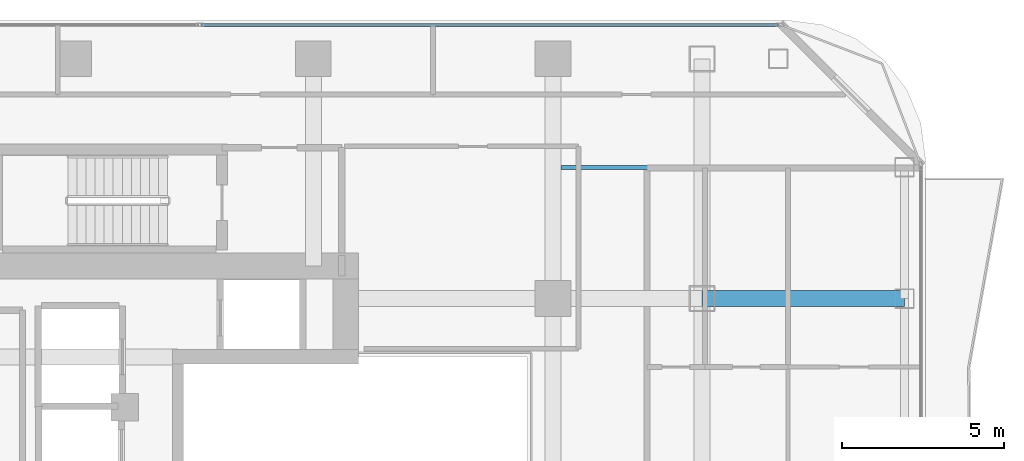
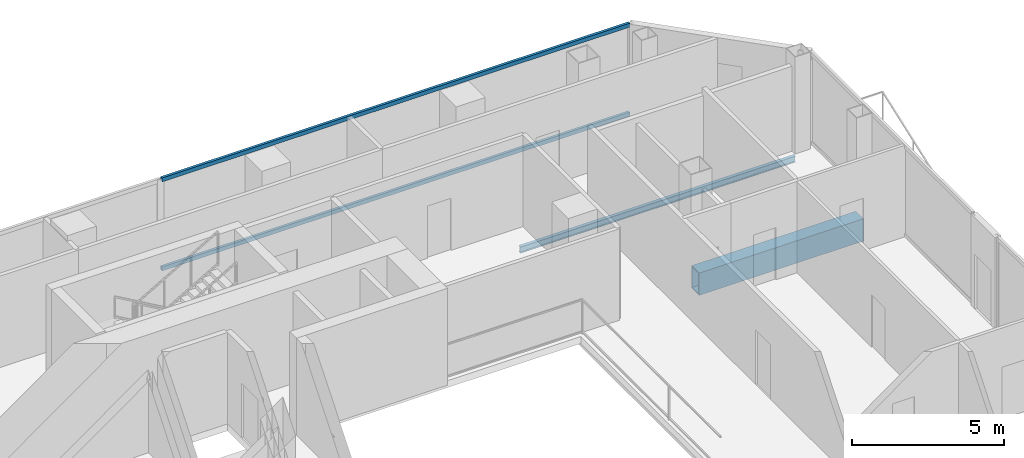
# One storey, part 17 of 26: 2 beams, 2 members, 1 element without a shape of its own.
"""IFC4 building model written with IfcOpenShell, lengths in metres."""

from ifc_helpers import new_model, si_unit, direction, frame, origin, origin_2d, place, context, subcontext, project, spatial, hollow_rectangle, i_section, extrude, material, layer, layer_set, material_profile, profile_set, type_object, element, aggregate, save


model = new_model("IFC4")

# Units and contexts
model_context = context("Model", 3, precision=1e-05, world=origin(), true_north=direction((0.0, 1.0)))
body_context = subcontext(model_context, "Body", "Model", "MODEL_VIEW")
ifc_project = project(units=[si_unit("LENGTHUNIT", "METRE"), si_unit("AREAUNIT", "SQUARE_METRE"), si_unit("VOLUMEUNIT", "CUBIC_METRE"), si_unit("PLANEANGLEUNIT", "RADIAN"), si_unit("MASSUNIT", "GRAM", prefix="KILO")], contexts=[model_context])

# Site, building, storey
site_placement = place(None, origin())
site = spatial("IfcSite", under=ifc_project, at=site_placement, CompositionType="ELEMENT")
building_placement = place(site_placement, origin())
building = spatial("IfcBuilding", under=site, at=building_placement, Name="Khorvyn Point Tower", CompositionType="ELEMENT")
storey_placement = place(building_placement, frame((0.0, 0.0, 219.60009765625)))
storey = spatial("IfcBuildingStorey", under=building, at=storey_placement, Name="L54", CompositionType="ELEMENT", Elevation=219.60009765625)

# Curtain wall, members
ifc_material_1 = material(Name="Anodised aluminium 6063-T6 and laminated Low-E glass", Category="aluminium")
ifc_layer = layer(ifc_material_1, 0.18994140625)
ifc_layer_set = layer_set([ifc_layer], Name="Stick-Built Acoustic Curtain Wall CW-SYS-03")
curtain_wall_type = type_object("IfcCurtainWallType", Name="Stick-Built Acoustic Curtain Wall CW-SYS-03", PredefinedType="NOTDEFINED", material=ifc_layer_set)
curtain_wall_placement = place(storey_placement, origin())
curtain_wall = element("IfcCurtainWall", 1, at=curtain_wall_placement, inside=storey, type_object=curtain_wall_type, Name="Curtain Wall", PredefinedType="NOTDEFINED")
ifc_material_2 = material(Name="Anodised aluminium 6063-T6", Category="aluminium")
ifc_material_profile_1 = material_profile(ifc_material_2, hollow_rectangle(XDim=0.10009765625, YDim=0.159912109375, WallThickness=0.00439453125, at=origin_2d()))
ifc_profile_set_1 = profile_set([ifc_material_profile_1], Name="Anodised aluminium 6063-T6 ALU-TRN-100x160")
member_type = type_object("IfcMemberType", Name="Anodised Aluminium 6063-T6 Transom ALU-TRN-100x160", PredefinedType="USERDEFINED", material=ifc_profile_set_1)
member_1_placement = place(storey_placement, frame((3.949951171875, 15.85009765625, 0.0498046875), z_axis=(1.0, 0.0, 0.0), x_axis=(0.0, 1.0, 0.0)))
member_1 = element("IfcMember", 2, at=member_1_placement, type_object=member_type, Name="Transom", ObjectType="TRANSOM", PredefinedType="USERDEFINED", context=body_context, shape_type="SweptSolid", body=[
    extrude(hollow_rectangle(XDim=0.10009765625, YDim=0.159912109375, WallThickness=0.00439453125, at=origin_2d()), origin(), (0.0, 0.0, 1.0), 17.800048828125),
])
member_2_placement = place(storey_placement, frame((3.949951171875, 15.85009765625, 3.6298828125), z_axis=(1.0, 0.0, 0.0), x_axis=(0.0, 1.0, 0.0)))
member_2 = element("IfcMember", 3, at=member_2_placement, type_object=member_type, Name="Transom", ObjectType="TRANSOM", PredefinedType="USERDEFINED", context=body_context, shape_type="SweptSolid", body=[
    extrude(hollow_rectangle(XDim=0.10009765625, YDim=0.159912109375, WallThickness=0.00439453125, at=origin_2d()), origin(), (0.0, 0.0, 1.0), 17.800048828125),
])
aggregate(curtain_wall, [member_1, member_2])

# Beams
ifc_material_3 = material(Name="Steel S355", Category="steel")
ifc_material_profile_2 = material_profile(ifc_material_3, i_section(OverallWidth=0.125, OverallDepth=0.25, WebThickness=0.006103515625, FlangeThickness=0.009033203125, at=origin_2d()))
ifc_profile_set_2 = profile_set([ifc_material_profile_2], Name="Steel S355 H250x125x6x9")
beam_type_1 = type_object("IfcBeamType", Name="Steel S355 Joist H250x125x6x9", PredefinedType="JOIST", material=ifc_profile_set_2)
beam_1_placement = place(storey_placement, frame((15.050048828125, 11.449951171875, -0.405029296875), z_axis=(1.0, 0.0, 0.0), x_axis=(0.0, 1.0, 0.0)))
element("IfcBeam", 4, at=beam_1_placement, inside=storey, type_object=beam_type_1, Name="Beam", PredefinedType="JOIST", context=body_context, shape_type="SweptSolid", body=[
    extrude(i_section(OverallWidth=0.125, OverallDepth=0.25, WebThickness=0.006103515625, FlangeThickness=0.009033203125, at=origin_2d()), origin(), (0.0, 0.0, 1.0), 10.474853515625),
])
ifc_material_4 = material(Name="Steel S450", Category="steel")
ifc_material_profile_3 = material_profile(ifc_material_4, hollow_rectangle(XDim=0.5, YDim=0.89990234375, WallThickness=0.0400390625, at=origin_2d()))
ifc_profile_set_3 = profile_set([ifc_material_profile_3], Name="Steel S450 BOX900x500x40")
beam_type_2 = type_object("IfcBeamType", Name="Steel S450 Beam BOX900x500x40", PredefinedType="BEAM", material=ifc_profile_set_3)
beam_2_placement = place(storey_placement, frame((19.39990234375, 7.39990234375, -0.72998046875), z_axis=(1.0, 0.0, 0.0), x_axis=(0.0, 1.0, 0.0)))
element("IfcBeam", 5, at=beam_2_placement, inside=storey, type_object=beam_type_2, Name="Beam", PredefinedType="BEAM", context=body_context, shape_type="SweptSolid", body=[
    extrude(hollow_rectangle(XDim=0.5, YDim=0.89990234375, WallThickness=0.0400390625, at=origin_2d()), origin(), (0.0, 0.0, 1.0), 6.25),
])

save(model, "model.ifc")
